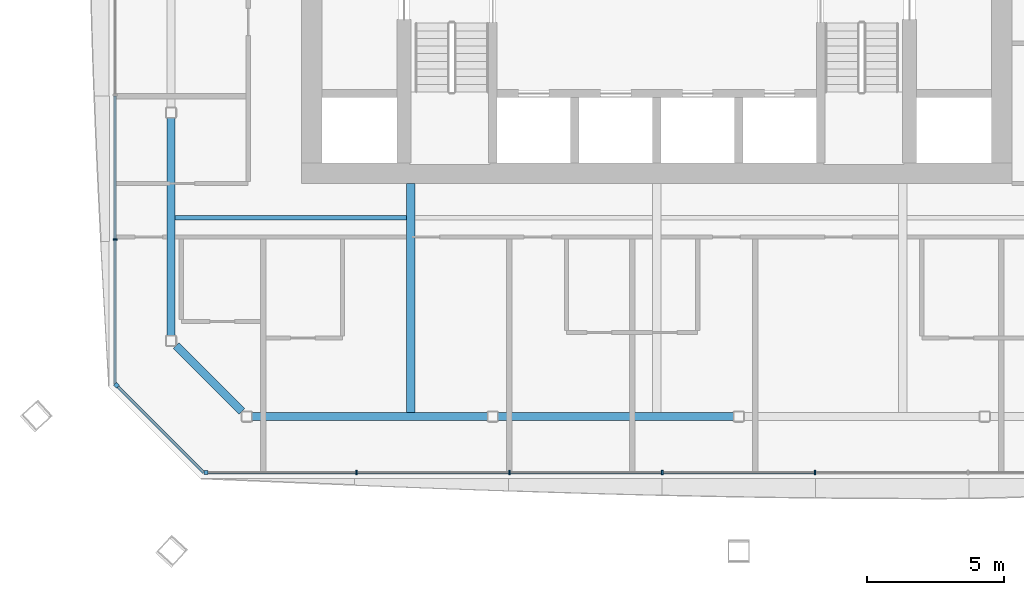
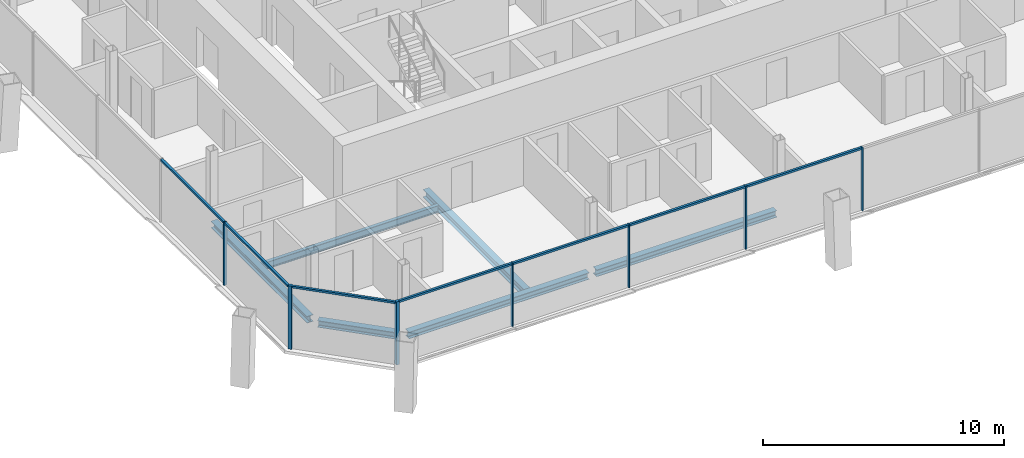
# One storey, part 3 of 21: 14 members, 6 beams, 3 elements without a shape of their own.
"""IFC4 building model written with IfcOpenShell, lengths in metres."""

from ifc_helpers import new_model, si_unit, direction, frame, origin, origin_2d, place, context, subcontext, project, spatial, rectangle, i_section, extrude, material, material_profile, profile_set, type_object, element, aggregate, save


model = new_model("IFC4")

# Units and contexts
model_context = context("Model", 3, precision=1e-05, world=origin(), true_north=direction((0.0, 1.0)))
body_context = subcontext(model_context, "Body", "Model", "MODEL_VIEW")
ifc_project = project(units=[si_unit("LENGTHUNIT", "METRE"), si_unit("AREAUNIT", "SQUARE_METRE"), si_unit("VOLUMEUNIT", "CUBIC_METRE"), si_unit("PLANEANGLEUNIT", "RADIAN"), si_unit("MASSUNIT", "GRAM", prefix="KILO")], contexts=[model_context])

# Site, building, storey
site_placement = place(None, origin())
site = spatial("IfcSite", under=ifc_project, at=site_placement, CompositionType="ELEMENT")
building_placement = place(site_placement, origin())
building = spatial("IfcBuilding", under=site, at=building_placement, Name="Tskaro Facet Tower", CompositionType="ELEMENT")
storey_placement = place(building_placement, frame((0.0, 0.0, 135.10009765625)))
storey = spatial("IfcBuildingStorey", under=building, at=storey_placement, Name="L32", CompositionType="ELEMENT", Elevation=135.10009765625)

# Curtain wall, member
ifc_material_1 = material(Name="Bronze anodised aluminium 6063-T6", Category="aluminium")
curtain_wall_type = type_object("IfcCurtainWallType", Name="Bronze hotel curtain wall (FW2)", PredefinedType="NOTDEFINED", material=ifc_material_1)
curtain_wall_1_placement = place(storey_placement, origin())
curtain_wall_1 = element("IfcCurtainWall", 1, at=curtain_wall_1_placement, inside=storey, type_object=curtain_wall_type, Name="FW2 south facet L32", PredefinedType="NOTDEFINED")
ifc_material_profile_1 = material_profile(ifc_material_1, rectangle(XDim=0.14990234375, YDim=0.14990234375, at=origin_2d()), Name="Corner post 150x150")
ifc_profile_set_1 = profile_set([ifc_material_profile_1], Name="Bronze anodised aluminium 6063-T6")
member_type_1 = type_object("IfcMemberType", Name="FW2 bronze corner post 150x150", PredefinedType="MULLION", material=ifc_profile_set_1)
member_1_placement = place(storey_placement, frame((-16.4990234375, -22.820068359375, 0.0), z_axis=(0.0, 0.0, 1.0), x_axis=(1.0, 0.0, 0.0)))
member_1 = element("IfcMember", 2, at=member_1_placement, type_object=member_type_1, Name="FW2 south corner post", PredefinedType="MULLION", context=body_context, shape_type="SweptSolid", body=[
    extrude(rectangle(XDim=0.14990234375, YDim=0.14990234375, at=origin_2d()), origin(), (0.0, 0.0, 1.0), 3.199951171875),
])

curtain_wall_2_placement = place(storey_placement, origin())
curtain_wall_2 = element("IfcCurtainWall", 3, at=curtain_wall_2_placement, inside=storey, type_object=curtain_wall_type, Name="FW2 south-west facet L32", PredefinedType="NOTDEFINED")
member_2_placement = place(storey_placement, frame((-19.766845703125, -19.626953125, 0.0), z_axis=(0.0, 0.0, 1.0), x_axis=(0.707106781187, -0.707106781187, 0.0)))
member_2 = element("IfcMember", 4, at=member_2_placement, type_object=member_type_1, Name="FW2 south-west corner post", PredefinedType="MULLION", context=body_context, shape_type="SweptSolid", body=[
    extrude(rectangle(XDim=0.14990234375, YDim=0.14990234375, at=origin_2d()), origin(), (0.0, 0.0, 1.0), 3.199951171875),
])

# Member
ifc_material_profile_2 = material_profile(ifc_material_1, rectangle(XDim=0.06005859375, YDim=0.14990234375, at=origin_2d()), Name="Mullion 60x150")
ifc_profile_set_2 = profile_set([ifc_material_profile_2], Name="Bronze anodised aluminium 6063-T6")
member_type_2 = type_object("IfcMemberType", Name="FW2 bronze mullion 60x150", PredefinedType="MULLION", material=ifc_profile_set_2)
member_3_placement = place(storey_placement, frame((-10.9814453125, -22.820068359375, 0.0), z_axis=(0.0, 0.0, 1.0), x_axis=(1.0, 0.0, 0.0)))
member_3 = element("IfcMember", 5, at=member_3_placement, type_object=member_type_2, Name="FW2 south mullion 1", PredefinedType="MULLION", context=body_context, shape_type="SweptSolid", body=[
    extrude(rectangle(XDim=0.06005859375, YDim=0.14990234375, at=origin_2d()), origin(), (0.0, 0.0, 1.0), 3.199951171875),
])

member_4_placement = place(storey_placement, frame((-5.388916015625, -22.820068359375, 0.0), z_axis=(0.0, 0.0, 1.0), x_axis=(1.0, 0.0, 0.0)))
member_4 = element("IfcMember", 6, at=member_4_placement, type_object=member_type_2, Name="FW2 south mullion 2", PredefinedType="MULLION", context=body_context, shape_type="SweptSolid", body=[
    extrude(rectangle(XDim=0.06005859375, YDim=0.14990234375, at=origin_2d()), origin(), (0.0, 0.0, 1.0), 3.199951171875),
])

member_5_placement = place(storey_placement, frame((0.20361328125, -22.820068359375, 0.0), z_axis=(0.0, 0.0, 1.0), x_axis=(1.0, 0.0, 0.0)))
member_5 = element("IfcMember", 7, at=member_5_placement, type_object=member_type_2, Name="FW2 south mullion 3", PredefinedType="MULLION", context=body_context, shape_type="SweptSolid", body=[
    extrude(rectangle(XDim=0.06005859375, YDim=0.14990234375, at=origin_2d()), origin(), (0.0, 0.0, 1.0), 3.199951171875),
])

member_6_placement = place(storey_placement, frame((5.79638671875, -22.820068359375, 0.0), z_axis=(0.0, 0.0, 1.0), x_axis=(1.0, 0.0, 0.0)))
member_6 = element("IfcMember", 8, at=member_6_placement, type_object=member_type_2, Name="FW2 south mullion 4", PredefinedType="MULLION", context=body_context, shape_type="SweptSolid", body=[
    extrude(rectangle(XDim=0.06005859375, YDim=0.14990234375, at=origin_2d()), origin(), (0.0, 0.0, 1.0), 3.199951171875),
])

# Curtain wall, member
curtain_wall_3_placement = place(storey_placement, origin())
curtain_wall_3 = element("IfcCurtainWall", 9, at=curtain_wall_3_placement, inside=storey, type_object=curtain_wall_type, Name="FW2 west facet L32", PredefinedType="NOTDEFINED")
member_7_placement = place(storey_placement, frame((-19.820068359375, -14.288818359375, 0.0), z_axis=(0.0, 0.0, 1.0), x_axis=(0.0, -1.0, 0.0)))
member_7 = element("IfcMember", 10, at=member_7_placement, type_object=member_type_2, Name="FW2 west mullion 6", PredefinedType="MULLION", context=body_context, shape_type="SweptSolid", body=[
    extrude(rectangle(XDim=0.06005859375, YDim=0.14990234375, at=origin_2d()), origin(), (0.0, 0.0, 1.0), 3.199951171875),
])

# Member
ifc_material_profile_3 = material_profile(ifc_material_1, rectangle(XDim=0.110107421875, YDim=0.10009765625, at=origin_2d()), Name="Transom 110x100")
ifc_profile_set_3 = profile_set([ifc_material_profile_3], Name="Bronze anodised aluminium 6063-T6")
member_type_3 = type_object("IfcMemberType", Name="FW2 bronze transom 110x100", PredefinedType="USERDEFINED", material=ifc_profile_set_3)
member_8_placement = place(storey_placement, frame((-16.424072265625, -22.820068359375, 3.14990234375), z_axis=(1.0, 0.0, 0.0), x_axis=(0.0, 1.0, 0.0)))
member_8 = element("IfcMember", 11, at=member_8_placement, type_object=member_type_3, Name="FW2 south transom 1.1", ObjectType="TRANSOM", PredefinedType="USERDEFINED", context=body_context, shape_type="SweptSolid", body=[
    extrude(rectangle(XDim=0.110107421875, YDim=0.10009765625, at=origin_2d()), origin(), (0.0, 0.0, 1.0), 5.41259765625),
])

member_9_placement = place(storey_placement, frame((-10.951416015625, -22.820068359375, 3.14990234375), z_axis=(1.0, 0.0, 0.0), x_axis=(0.0, 1.0, 0.0)))
member_9 = element("IfcMember", 12, at=member_9_placement, type_object=member_type_3, Name="FW2 south transom 2.1", ObjectType="TRANSOM", PredefinedType="USERDEFINED", context=body_context, shape_type="SweptSolid", body=[
    extrude(rectangle(XDim=0.110107421875, YDim=0.10009765625, at=origin_2d()), origin(), (0.0, 0.0, 1.0), 5.532470703125),
])

member_10_placement = place(storey_placement, frame((-5.35888671875, -22.820068359375, 3.14990234375), z_axis=(1.0, 0.0, 0.0), x_axis=(0.0, 1.0, 0.0)))
member_10 = element("IfcMember", 13, at=member_10_placement, type_object=member_type_3, Name="FW2 south transom 3.1", ObjectType="TRANSOM", PredefinedType="USERDEFINED", context=body_context, shape_type="SweptSolid", body=[
    extrude(rectangle(XDim=0.110107421875, YDim=0.10009765625, at=origin_2d()), origin(), (0.0, 0.0, 1.0), 5.53271484375),
])

member_11_placement = place(storey_placement, frame((0.233642578125, -22.820068359375, 3.14990234375), z_axis=(1.0, 0.0, 0.0), x_axis=(0.0, 1.0, 0.0)))
member_11 = element("IfcMember", 14, at=member_11_placement, type_object=member_type_3, Name="FW2 south transom 4.1", ObjectType="TRANSOM", PredefinedType="USERDEFINED", context=body_context, shape_type="SweptSolid", body=[
    extrude(rectangle(XDim=0.110107421875, YDim=0.10009765625, at=origin_2d()), origin(), (0.0, 0.0, 1.0), 5.53271484375),
])

aggregate(curtain_wall_1, [member_1, member_3, member_4, member_5, member_6, member_8, member_9, member_10, member_11])

member_12_placement = place(storey_placement, frame((-19.820068359375, -9.03369140625, 3.14990234375), z_axis=(0.0, -1.0, 0.0), x_axis=(1.0, 0.0, 0.0)))
member_12 = element("IfcMember", 15, at=member_12_placement, type_object=member_type_3, Name="FW2 west transom 6.1", ObjectType="TRANSOM", PredefinedType="USERDEFINED", context=body_context, shape_type="SweptSolid", body=[
    extrude(rectangle(XDim=0.110107421875, YDim=0.10009765625, at=origin_2d()), origin(), (0.0, 0.0, 1.0), 5.22509765625),
])

member_13_placement = place(storey_placement, frame((-19.820068359375, -14.31884765625, 3.14990234375), z_axis=(0.0, -1.0, 0.0), x_axis=(1.0, 0.0, 0.0)))
member_13 = element("IfcMember", 16, at=member_13_placement, type_object=member_type_3, Name="FW2 west transom 7.1", ObjectType="TRANSOM", PredefinedType="USERDEFINED", context=body_context, shape_type="SweptSolid", body=[
    extrude(rectangle(XDim=0.110107421875, YDim=0.10009765625, at=origin_2d()), origin(), (0.0, 0.0, 1.0), 5.255126953125),
])

aggregate(curtain_wall_3, [member_7, member_12, member_13])

member_14_placement = place(storey_placement, frame((-19.7138671875, -19.68017578125, 3.14990234375), z_axis=(0.707106781187, -0.707106781187, 0.0), x_axis=(0.707106781187, 0.707106781187, 0.0)))
member_14 = element("IfcMember", 17, at=member_14_placement, type_object=member_type_3, Name="FW2 south-west transom 1.1", ObjectType="TRANSOM", PredefinedType="USERDEFINED", context=body_context, shape_type="SweptSolid", body=[
    extrude(rectangle(XDim=0.110107421875, YDim=0.10009765625, at=origin_2d()), origin(), (0.0, 0.0, 1.0), 4.4404296875),
])

aggregate(curtain_wall_2, [member_2, member_14])

# Beams
ifc_material_2 = material(Name="Steel S355J2", Category="steel")
ifc_material_profile_4 = material_profile(ifc_material_2, i_section(OverallWidth=0.300048828125, OverallDepth=0.340087890625, WebThickness=0.011962890625, FlangeThickness=0.021484375, FilletRadius=0.027099609375, at=origin_2d()), Name="HE 340 B")
ifc_profile_set_4 = profile_set([ifc_material_profile_4], Name="Steel S355J2")
beam_type_1 = type_object("IfcBeamType", Name="HE 340 B ring beam", PredefinedType="BEAM", material=ifc_profile_set_4)
beam_1_placement = place(storey_placement, frame((-14.819091796875, -20.77392578125, -0.31005859375), z_axis=(1.0, 0.0, 0.0), x_axis=(0.0, 1.0, 0.0)))
element("IfcBeam", 18, at=beam_1_placement, inside=storey, type_object=beam_type_1, Name="HE 340 B EB1-3", PredefinedType="BEAM", context=body_context, shape_type="SweptSolid", body=[
    extrude(i_section(OverallWidth=0.300048828125, OverallDepth=0.340087890625, WebThickness=0.011962890625, FlangeThickness=0.021484375, FilletRadius=0.027099609375, at=origin_2d()), origin(), (0.0, 0.0, 1.0), 8.63916015625),
])
beam_2_placement = place(storey_placement, frame((-5.820068359375, -20.77392578125, -0.31005859375), z_axis=(1.0, 0.0, 0.0), x_axis=(0.0, 1.0, 0.0)))
element("IfcBeam", 19, at=beam_2_placement, inside=storey, type_object=beam_type_1, Name="HE 340 B EB2-3", PredefinedType="BEAM", context=body_context, shape_type="SweptSolid", body=[
    extrude(i_section(OverallWidth=0.300048828125, OverallDepth=0.340087890625, WebThickness=0.011962890625, FlangeThickness=0.021484375, FilletRadius=0.027099609375, at=origin_2d()), origin(), (0.0, 0.0, 1.0), 8.64013671875),
])
beam_3_placement = place(storey_placement, frame((-17.77392578125, -9.8369140625, -0.31005859375), z_axis=(0.0, -1.0, 0.0), x_axis=(1.0, 0.0, 0.0)))
element("IfcBeam", 20, at=beam_3_placement, inside=storey, type_object=beam_type_1, Name="HE 340 B EB19-3", PredefinedType="BEAM", context=body_context, shape_type="SweptSolid", body=[
    extrude(i_section(OverallWidth=0.300048828125, OverallDepth=0.340087890625, WebThickness=0.011962890625, FlangeThickness=0.021484375, FilletRadius=0.027099609375, at=origin_2d()), origin(), (0.0, 0.0, 1.0), 7.982177734375),
])
beam_4_placement = place(storey_placement, frame((-17.588134765625, -18.184814453125, -0.31005859375), z_axis=(0.707106781187, -0.707106781187, 0.0), x_axis=(0.707106781187, 0.707106781187, 0.0)))
element("IfcBeam", 21, at=beam_4_placement, inside=storey, type_object=beam_type_1, Name="HE 340 B EB20-3", PredefinedType="BEAM", context=body_context, shape_type="SweptSolid", body=[
    extrude(i_section(OverallWidth=0.300048828125, OverallDepth=0.340087890625, WebThickness=0.011962890625, FlangeThickness=0.021484375, FilletRadius=0.027099609375, at=origin_2d()), origin(), (0.0, 0.0, 1.0), 3.39892578125),
])
ifc_material_profile_5 = material_profile(ifc_material_2, i_section(OverallWidth=0.300048828125, OverallDepth=0.389892578125, WebThickness=0.010986328125, FlangeThickness=0.01904296875, FilletRadius=0.027099609375, at=origin_2d()), Name="HE 400 A")
ifc_profile_set_5 = profile_set([ifc_material_profile_5], Name="Steel S355J2")
beam_type_2 = type_object("IfcBeamType", Name="HE 400 A girder", PredefinedType="BEAM", material=ifc_profile_set_5)
beam_5_placement = place(storey_placement, frame((-9.0, -20.6240234375, -0.335205078125), z_axis=(0.0, 1.0, 0.0), x_axis=(-1.0, 0.0, 0.0)))
element("IfcBeam", 22, at=beam_5_placement, inside=storey, type_object=beam_type_2, Name="HE 400 A GB3-1-3", PredefinedType="BEAM", context=body_context, shape_type="SweptSolid", body=[
    extrude(i_section(OverallWidth=0.300048828125, OverallDepth=0.389892578125, WebThickness=0.010986328125, FlangeThickness=0.01904296875, FilletRadius=0.027099609375, at=origin_2d()), origin(), (0.0, 0.0, 1.0), 8.3740234375),
])
ifc_material_profile_6 = material_profile(ifc_material_2, i_section(OverallWidth=0.169921875, OverallDepth=0.360107421875, WebThickness=0.008056640625, FlangeThickness=0.0126953125, FilletRadius=0.01806640625, at=origin_2d()), Name="IPE 360")
ifc_profile_set_6 = profile_set([ifc_material_profile_6], Name="Steel S355J2")
beam_type_3 = type_object("IfcBeamType", Name="IPE 360 secondary beam", PredefinedType="BEAM", material=ifc_profile_set_6)
beam_6_placement = place(storey_placement, frame((-17.6240234375, -13.5, -0.320068359375), z_axis=(1.0, 0.0, 0.0), x_axis=(0.0, 1.0, 0.0)))
element("IfcBeam", 23, at=beam_6_placement, inside=storey, type_object=beam_type_3, Name="IPE 360 SB2a-1-3", PredefinedType="BEAM", context=body_context, shape_type="SweptSolid", body=[
    extrude(i_section(OverallWidth=0.169921875, OverallDepth=0.360107421875, WebThickness=0.008056640625, FlangeThickness=0.0126953125, FilletRadius=0.01806640625, at=origin_2d()), origin(), (0.0, 0.0, 1.0), 8.47412109375),
])

save(model, "model.ifc")
